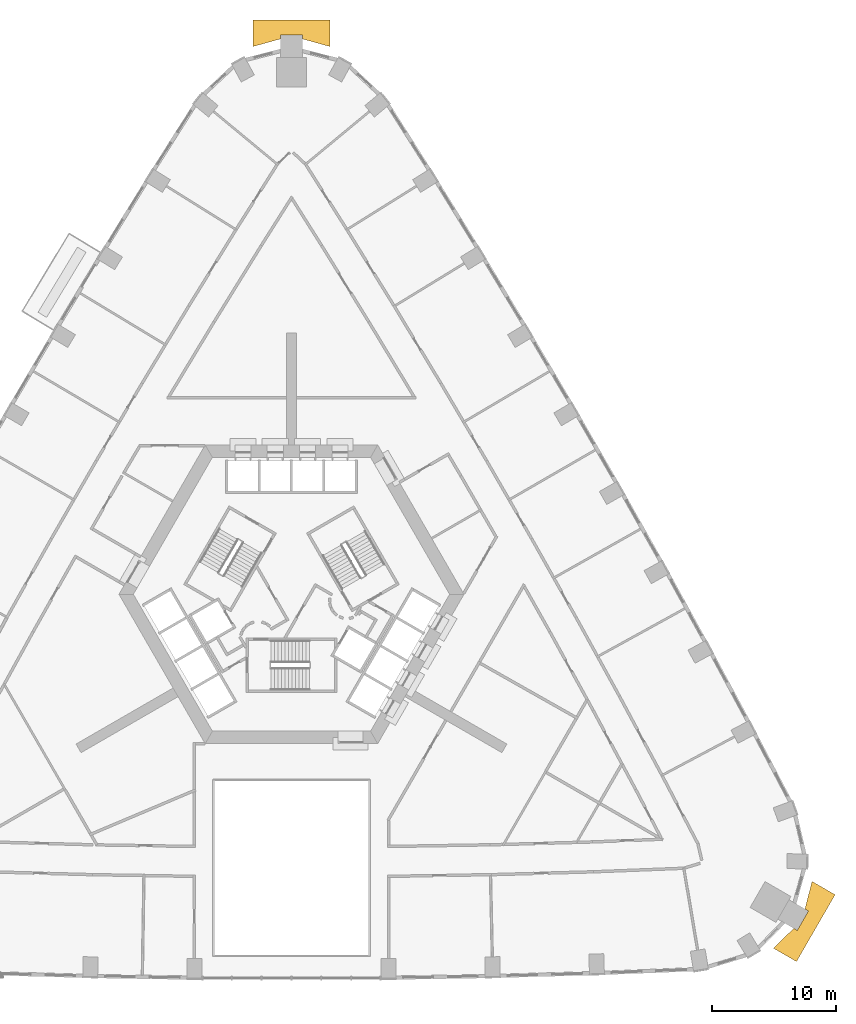
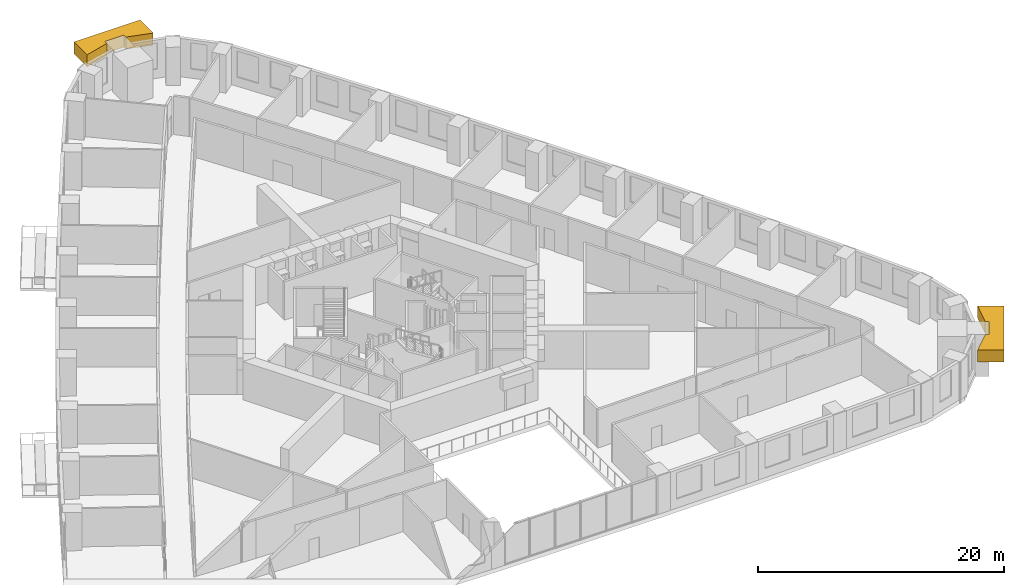
# One storey, part 16 of 16: 2 coverings.
"""IFC4 building model written with IfcOpenShell, lengths in metres."""

from ifc_helpers import new_model, si_unit, direction, frame, origin, place, context, subcontext, project, spatial, polyline, outline, extrude, material, type_object, element, save


model = new_model("IFC4")

# Units and contexts
model_context = context("Model", 3, precision=1e-05, world=origin(), true_north=direction((0.0, 1.0)))
body_context = subcontext(model_context, "Body", "Model", "MODEL_VIEW")
ifc_project = project(units=[si_unit("LENGTHUNIT", "METRE"), si_unit("AREAUNIT", "SQUARE_METRE"), si_unit("VOLUMEUNIT", "CUBIC_METRE"), si_unit("PLANEANGLEUNIT", "RADIAN"), si_unit("MASSUNIT", "GRAM", prefix="KILO")], contexts=[model_context])

# Site, building, storey
site_placement = place(None, origin())
site = spatial("IfcSite", under=ifc_project, at=site_placement, CompositionType="ELEMENT")
building_placement = place(site_placement, origin())
building = spatial("IfcBuilding", under=site, at=building_placement, Name="Entoto Arch Interchange Tower", CompositionType="ELEMENT")
storey_placement = place(building_placement, frame((0.0, 0.0, 43.39990234375)))
storey = spatial("IfcBuildingStorey", under=building, at=storey_placement, Name="L08", CompositionType="ELEMENT", Elevation=43.39990234375)

# Coverings
ifc_material = material(Name="Board-marked precast concrete C50/60", Category="concrete")
covering_type = type_object("IfcCoveringType", Name="PRECAST FRAME COURSE", PredefinedType="CLADDING", material=ifc_material)
covering_1_placement = place(storey_placement, frame((0.0, 0.0, 2.60009765625)))
element("IfcCovering", 1, at=covering_1_placement, inside=storey, type_object=covering_type, Name="Corner pilaster head SE L06-L08", PredefinedType="CLADDING", context=body_context, shape_type="SweptSolid", body=[
    extrude(outline(polyline([(43.66796875, -21.632080078125), (40.568115234375, -27.001953125), (38.718017578125, -25.93408203125), (40.346923828125, -24.333984375), (40.6279296875, -24.49609375), (41.528076171875, -22.93798828125), (41.2470703125, -22.77490234375), (41.818115234375, -20.56396484375), (43.66796875, -21.632080078125)])), origin(), (0.0, 0.0, 1.0), 1.199951171875),
])
covering_2_placement = place(storey_placement, frame((0.0, 0.0, 2.60009765625)))
element("IfcCovering", 2, at=covering_2_placement, inside=storey, type_object=covering_type, Name="Corner pilaster head N L06-L08", PredefinedType="CLADDING", context=body_context, shape_type="SweptSolid", body=[
    extrude(outline(polyline([(-3.10009765625, 48.633056640625), (3.10009765625, 48.633056640625), (3.10009765625, 46.4970703125), (0.89990234375, 47.10791015625), (0.89990234375, 47.43310546875), (-0.89990234375, 47.43310546875), (-0.89990234375, 47.10791015625), (-3.10009765625, 46.4970703125), (-3.10009765625, 48.633056640625)])), origin(), (0.0, 0.0, 1.0), 1.199951171875),
])

save(model, "model.ifc")
